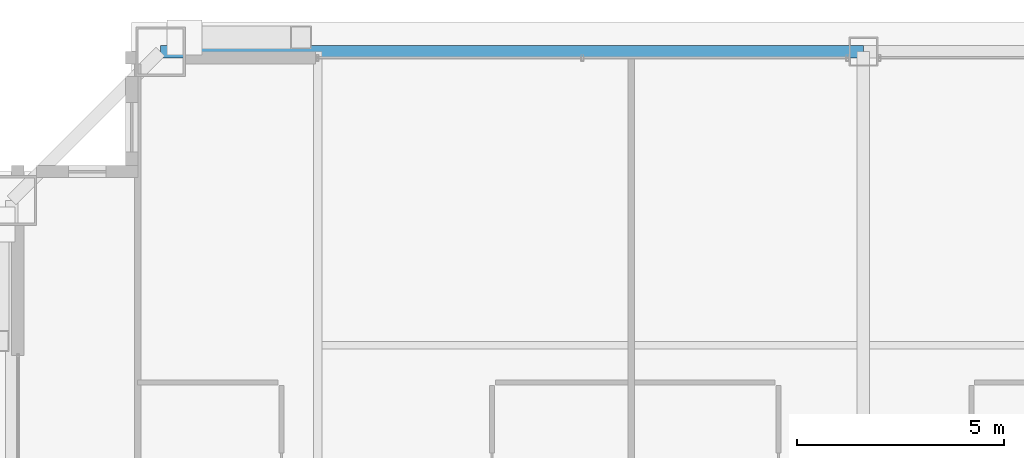
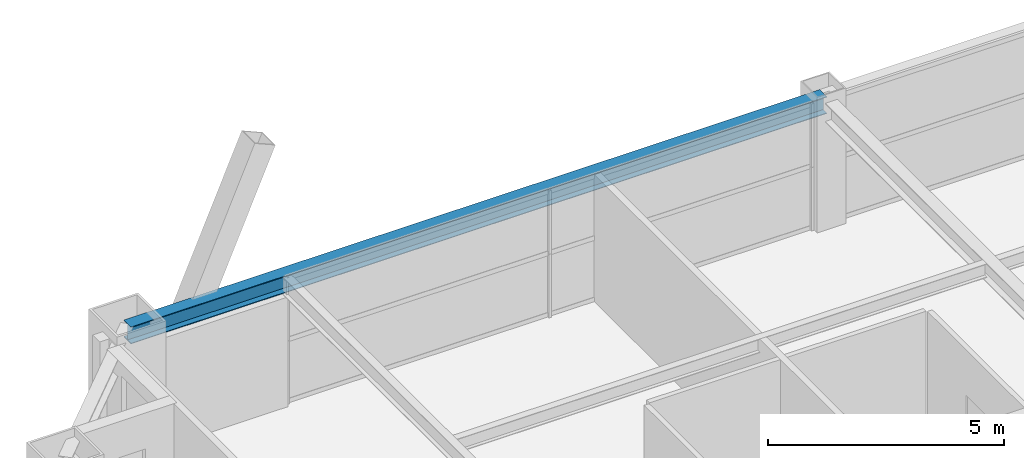
# One storey, part 23 of 34: 1 beam.
"""IFC4 building model written with IfcOpenShell, lengths in metres."""

import ifcopenshell
import ifcopenshell.guid

model = None  # the IFC model being written
_history = None  # IfcOwnerHistory: only IFC2X3 demands one
_inside = {}  # id of a spatial element -> (the spatial element, [elements in it])
_under = {}  # id of a project, library or spatial element -> (it, [spatial elements below it])
_declared = {}  # id of a project -> (the project, [libraries it declares])
_typed = {}  # id of a type object -> (the type object, [elements of that type])
_made_of = {}  # id of a material, layer set ... -> (it, [elements and type objects made of it])


def new_model(schema):
    """Start an empty IFC model of exactly this schema.

    Asked for "IFC4X3", IfcOpenShell would pick the latest addendum, in which some entities
    have other attributes; the version numbers below select the first issue.
    IFC2X3 requires an IfcOwnerHistory on every rooted entity: one is made here for all.
    """
    global model, _history
    if schema == "IFC4X3":
        model = ifcopenshell.file(schema_version=(4, 3, 0, 0))
    else:
        model = ifcopenshell.file(schema=schema)
    _inside.clear()
    _under.clear()
    _declared.clear()
    _typed.clear()
    _made_of.clear()
    _history = None
    if model.schema == "IFC2X3":
        org = make("IfcOrganization", Name="unknown")
        user = make(
            "IfcPersonAndOrganization",
            ThePerson=make("IfcPerson", FamilyName="unknown"),
            TheOrganization=org,
        )
        app = make(
            "IfcApplication",
            ApplicationDeveloper=org,
            Version="unknown",
            ApplicationFullName="unknown",
            ApplicationIdentifier="unknown",
        )
        _history = make(
            "IfcOwnerHistory",
            OwningUser=user,
            OwningApplication=app,
            ChangeAction="ADDED",
            CreationDate=0,
        )
    return model


def make(cls, **values):
    """One entity of the class cls with the attributes given. An attribute that is None is left unset."""
    return model.create_entity(
        cls, **{name: value for name, value in values.items() if value is not None}
    )


def rooted(cls, **values):
    """An entity with a GlobalId (a new one), such as an element, a storey or a relation."""
    return make(cls, GlobalId=ifcopenshell.guid.new(), OwnerHistory=_history, **values)


def si_unit(unit_type, name, prefix=None):
    """IfcSIUnit, for example si_unit("LENGTHUNIT", "METRE", prefix="MILLI")."""
    return make("IfcSIUnit", UnitType=unit_type, Prefix=prefix, Name=name)


def assignment(units):
    """IfcUnitAssignment: the units of a project."""
    return None if units is None else make("IfcUnitAssignment", Units=units)


def point(xyz):
    """IfcCartesianPoint."""
    return None if xyz is None else make("IfcCartesianPoint", Coordinates=xyz)


def direction(xyz):
    """IfcDirection."""
    return None if xyz is None else make("IfcDirection", DirectionRatios=xyz)


def frame(location, z_axis=None, x_axis=None):
    """IfcAxis2Placement3D, a coordinate frame: its origin and axes. An axis left out is left unset."""
    return make(
        "IfcAxis2Placement3D",
        Location=point(location),
        Axis=direction(z_axis),
        RefDirection=direction(x_axis),
    )


def frame_2d(location, x_axis=None):
    """IfcAxis2Placement2D, a coordinate frame in the plane: its origin and x axis."""
    return make(
        "IfcAxis2Placement2D", Location=point(location), RefDirection=direction(x_axis)
    )


def origin():
    """The frame at (0, 0, 0) with its axes left unset."""
    return frame((0.0, 0.0, 0.0))


def origin_2d():
    """The frame at (0, 0) in the plane with its x axis left unset."""
    return frame_2d((0.0, 0.0))


def place(relative_to, where):
    """IfcLocalPlacement: puts the frame where relative to a parent placement (None: the world)."""
    return make(
        "IfcLocalPlacement", PlacementRelTo=relative_to, RelativePlacement=where
    )


def context(
    kind, dimensions, precision=None, world=None, true_north=None, identifier=None
):
    """IfcGeometricRepresentationContext, for example the 3D "Model" context."""
    return make(
        "IfcGeometricRepresentationContext",
        ContextIdentifier=identifier,
        ContextType=kind,
        CoordinateSpaceDimension=dimensions,
        Precision=precision,
        WorldCoordinateSystem=world,
        TrueNorth=true_north,
    )


def subcontext(parent, identifier, kind, view, scale=None):
    """IfcGeometricRepresentationSubContext, for example "Body" below "Model"."""
    return make(
        "IfcGeometricRepresentationSubContext",
        ContextIdentifier=identifier,
        ContextType=kind,
        ParentContext=parent,
        TargetScale=scale,
        TargetView=view,
    )


def project(units=None, contexts=None):
    """IfcProject with its units and contexts."""
    return rooted(
        "IfcProject",
        Name="project",
        RepresentationContexts=contexts,
        UnitsInContext=assignment(units),
    )


def spatial(cls, under=None, at=None, **own):
    """A site, building, storey or space (cls), placed at a placement, below another one or the project."""
    s = rooted(cls, ObjectPlacement=at, **own)
    if under is not None:
        _under.setdefault(under.id(), (under, []))[1].append(s)
    return s


def profile(cls, at=None, kind="AREA", **sizes):
    """A parametric profile (cls). Its sizes go by their IFC names, for example OverallWidth=200.0."""
    return make(cls, ProfileType=kind, Position=at, **sizes)


def i_section(**sizes):
    """IfcIShapeProfileDef."""
    return profile("IfcIShapeProfileDef", **sizes)


def extrude(swept, where, along, depth):
    """IfcExtrudedAreaSolid: the profile swept, set in the frame where, extruded along a direction by depth."""
    return make(
        "IfcExtrudedAreaSolid",
        SweptArea=swept,
        Position=where,
        ExtrudedDirection=direction(along),
        Depth=depth,
    )


def shape(context_of_items, identifier, shape_type, items):
    """IfcShapeRepresentation: the items that make up one representation, for example the "Body"."""
    return make(
        "IfcShapeRepresentation",
        ContextOfItems=context_of_items,
        RepresentationIdentifier=identifier,
        RepresentationType=shape_type,
        Items=items,
    )


def source(mapping_origin, context_of_items, identifier, shape_type, items):
    """IfcRepresentationMap: a shape defined once, which mapped items show again and again."""
    return make(
        "IfcRepresentationMap",
        MappingOrigin=mapping_origin,
        MappedRepresentation=shape(context_of_items, identifier, shape_type, items),
    )


def transform(
    local_origin,
    x_axis=None,
    y_axis=None,
    z_axis=None,
    scale=None,
    scale2=None,
    scale3=None,
    uniform=True,
):
    """IfcCartesianTransformationOperator3D, or its non-uniform kind. x_axis, y_axis, z_axis: its Axis1, 2, 3."""
    if uniform:
        return make(
            "IfcCartesianTransformationOperator3D",
            Axis1=direction(x_axis),
            Axis2=direction(y_axis),
            LocalOrigin=point(local_origin),
            Scale=scale,
            Axis3=direction(z_axis),
        )
    return make(
        "IfcCartesianTransformationOperator3DnonUniform",
        Axis1=direction(x_axis),
        Axis2=direction(y_axis),
        LocalOrigin=point(local_origin),
        Scale=scale,
        Axis3=direction(z_axis),
        Scale2=scale2,
        Scale3=scale3,
    )


def mapped(mapping_source, mapping_target):
    """IfcMappedItem: shows the shape of a source again, moved by a transform."""
    return make(
        "IfcMappedItem", MappingSource=mapping_source, MappingTarget=mapping_target
    )


def material(Name=None, Category=None):
    """IfcMaterial."""
    return make("IfcMaterial", Name=Name, Category=Category)


def material_profile(
    of_material, cross_section, Name=None, Category=None, Priority=None
):
    """IfcMaterialProfile: a cross section and its material."""
    return make(
        "IfcMaterialProfile",
        Name=Name,
        Material=of_material,
        Profile=cross_section,
        Priority=Priority,
        Category=Category,
    )


def profile_set(profiles, Name=None, composite=None):
    """IfcMaterialProfileSet."""
    return make(
        "IfcMaterialProfileSet",
        Name=Name,
        MaterialProfiles=profiles,
        CompositeProfile=composite,
    )


def made_of(thing, what):
    """Note that an element or type object is made of a material, layer set ...; save() writes the relation."""
    if what is not None:
        _made_of.setdefault(what.id(), (what, []))[1].append(thing)
    return thing


def type_object(cls, material=None, **own):
    """A type object (cls), such as IfcWallType, which elements share."""
    return made_of(rooted(cls, **own), material)


def element(
    cls,
    number,
    at=None,
    inside=None,
    cuts=None,
    type_object=None,
    material=None,
    context=None,
    identifier="Body",
    shape_type=None,
    held_by="IfcProductDefinitionShape",
    body=None,
    shapes=None,
    **own,
):
    """One element of the class cls, such as IfcWall. Its Tag is "e" and its number.

    at: its placement. inside: the storey or other place that contains it. cuts: it is an
    opening in that element (IfcRelVoidsElement). A single representation is given by context,
    identifier, shape_type and body (its items); several are given by shapes. held_by: the class
    of the entity that holds the representations. save() writes the other relations.
    """
    e = rooted(cls, Tag="e%d" % number, ObjectPlacement=at, **own)
    if body is not None:
        shapes = [shape(context, identifier, shape_type, body)]
    if shapes is not None:
        e.Representation = make(held_by, Representations=shapes)
    if inside is not None:
        _inside.setdefault(inside.id(), (inside, []))[1].append(e)
    if cuts is not None:
        rooted(
            "IfcRelVoidsElement", RelatingBuildingElement=cuts, RelatedOpeningElement=e
        )
    if type_object is not None:
        _typed.setdefault(type_object.id(), (type_object, []))[1].append(e)
    return made_of(e, material)


def aggregate(whole, parts):
    """IfcRelAggregates: a whole, such as a stair, and the parts it consists of."""
    return rooted("IfcRelAggregates", RelatingObject=whole, RelatedObjects=parts)


def save(model, path):
    """Write the relations noted so far, then the file.

    IfcRelAggregates (storeys below a building ...), IfcRelContainedInSpatialStructure (elements
    in a storey), IfcRelDefinesByType, IfcRelAssociatesMaterial and IfcRelDeclares: one each for
    every whole, place, type object, material and project.
    """
    for whole, parts in _under.values():
        aggregate(whole, parts)
    for where, things in _inside.values():
        rooted(
            "IfcRelContainedInSpatialStructure",
            RelatedElements=things,
            RelatingStructure=where,
        )
    for kind, things in _typed.values():
        rooted("IfcRelDefinesByType", RelatedObjects=things, RelatingType=kind)
    for what, things in _made_of.values():
        rooted("IfcRelAssociatesMaterial", RelatedObjects=things, RelatingMaterial=what)
    for by, libraries in _declared.values():
        rooted("IfcRelDeclares", RelatingContext=by, RelatedDefinitions=libraries)
    model.write(path)


model = new_model("IFC4")

# Units and contexts
model_context = context("Model", 3, precision=1e-05, world=origin(), true_north=direction((0.0, 1.0)))
body_context = subcontext(model_context, "Body", "Model", "MODEL_VIEW")
ifc_project = project(units=[si_unit("LENGTHUNIT", "METRE"), si_unit("AREAUNIT", "SQUARE_METRE"), si_unit("VOLUMEUNIT", "CUBIC_METRE"), si_unit("PLANEANGLEUNIT", "RADIAN"), si_unit("MASSUNIT", "GRAM", prefix="KILO"), si_unit("THERMODYNAMICTEMPERATUREUNIT", "KELVIN"), si_unit("POWERUNIT", "WATT")], contexts=[model_context])

# Site, building, storey
site_placement = place(None, origin())
site = spatial("IfcSite", under=ifc_project, at=site_placement, CompositionType="ELEMENT")
building_placement = place(site_placement, origin())
building = spatial("IfcBuilding", under=site, at=building_placement, Name="Yuzanri Waterfront Tower", CompositionType="ELEMENT")
storey_placement = place(building_placement, frame((0.0, 0.0, 241.60009765625)))
storey = spatial("IfcBuildingStorey", under=building, at=storey_placement, Name="L64", CompositionType="ELEMENT", Elevation=241.60009765625)

# Beam
ifc_material = material(Name="Steel Q355B", Category="steel")
ifc_material_profile = material_profile(ifc_material, i_section(OverallWidth=0.300048828125, OverallDepth=0.43994140625, WebThickness=0.010986328125, FlangeThickness=0.01806640625, at=origin_2d()), Name="HM 440x300x11x18")
ifc_profile_set = profile_set([ifc_material_profile], Name="Steel Q355B")
beam_type = type_object("IfcBeamType", Name="Perimeter Spandrel Q355B HM 440x300", PredefinedType="SPANDREL", material=ifc_profile_set)
shared_shape = source(origin(), body_context, "Body", "SweptSolid", [
    extrude(i_section(OverallWidth=0.300048828125, OverallDepth=0.43994140625, WebThickness=0.010986328125, FlangeThickness=0.01806640625, at=origin_2d()), origin(), (0.0, 0.0, 1.0), 17.0),
])
beam_placement = place(storey_placement, frame((37.0, 46.39990234375, 3.059814453125), z_axis=(-1.0, 0.0, 0.0), x_axis=(0.0, -1.0, 0.0)))
element("IfcBeam", 1, at=beam_placement, inside=storey, type_object=beam_type, Name="L64 Perimeter Spandrel N2-N1", PredefinedType="SPANDREL", context=body_context, shape_type="MappedRepresentation", body=[
    mapped(shared_shape, transform((0.0, 0.0, 0.0), scale=1.0)),
])

save(model, "model.ifc")
